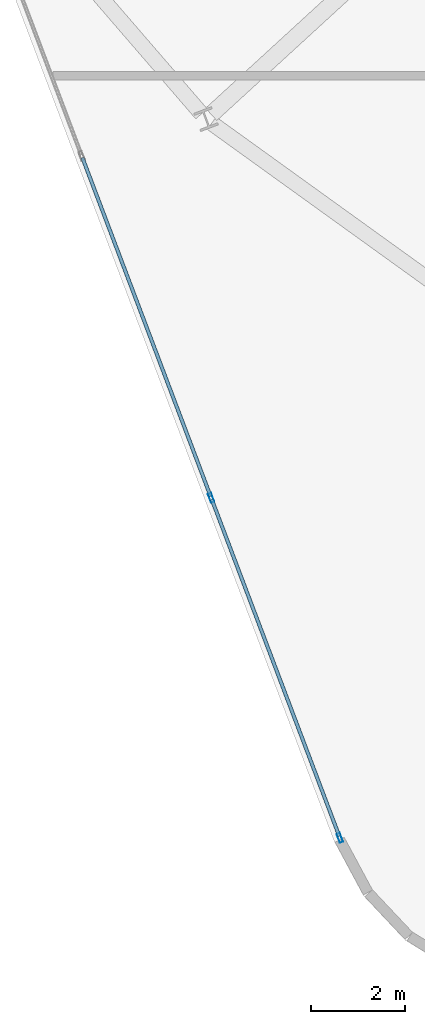
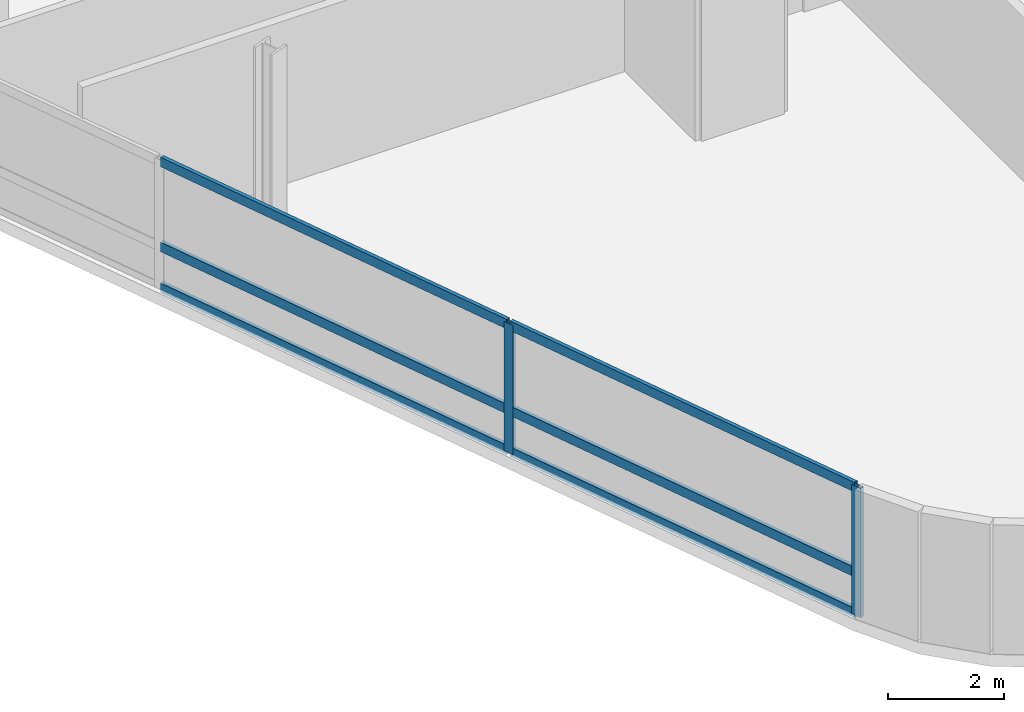
# One storey, part 3 of 20: 8 members, 1 element without a shape of its own.
"""IFC4 building model written with IfcOpenShell, lengths in metres."""

from ifc_helpers import new_model, si_unit, direction, frame, origin, origin_2d, place, context, subcontext, project, spatial, hollow_rectangle, extrude, material, layer, layer_set, material_profile, profile_set, type_object, element, aggregate, save


model = new_model("IFC4")

# Units and contexts
model_context = context("Model", 3, precision=1e-05, world=origin(), true_north=direction((0.0, 1.0)))
body_context = subcontext(model_context, "Body", "Model", "MODEL_VIEW")
ifc_project = project(units=[si_unit("LENGTHUNIT", "METRE"), si_unit("AREAUNIT", "SQUARE_METRE"), si_unit("VOLUMEUNIT", "CUBIC_METRE"), si_unit("PLANEANGLEUNIT", "RADIAN"), si_unit("MASSUNIT", "GRAM", prefix="KILO")], contexts=[model_context])

# Site, building, storey
site_placement = place(None, origin())
site = spatial("IfcSite", under=ifc_project, at=site_placement, CompositionType="ELEMENT")
building_placement = place(site_placement, origin())
building = spatial("IfcBuilding", under=site, at=building_placement, Name="Varnelok Gate Tower", CompositionType="ELEMENT")
storey_placement = place(building_placement, frame((0.0, 0.0, 223.800048828125)))
storey = spatial("IfcBuildingStorey", under=building, at=storey_placement, Name="L57", CompositionType="ELEMENT", Elevation=223.800048828125)

# Curtain wall, members
ifc_material = material(Name="Anodized Aluminum Alloy 6063-T6", Category="aluminium")
ifc_layer = layer(ifc_material, 0.179931640625)
ifc_layer_set = layer_set([ifc_layer], Name="Anodized Aluminum Alloy 6063-T6")
curtain_wall_type = type_object("IfcCurtainWallType", Name="CW4-RESIDENCE-VISION", PredefinedType="USERDEFINED", material=ifc_layer_set)
curtain_wall_placement = place(storey_placement, origin())
curtain_wall = element("IfcCurtainWall", 1, at=curtain_wall_placement, inside=storey, type_object=curtain_wall_type, Name="L57 West End Vision Curtain Wall", ObjectType="UNITISED CURTAIN WALL", PredefinedType="USERDEFINED")
ifc_material_profile_1 = material_profile(ifc_material, hollow_rectangle(XDim=0.074951171875, YDim=0.199951171875, WallThickness=0.00390625, at=origin_2d()), Name="ALU200X75X4")
ifc_profile_set_1 = profile_set([ifc_material_profile_1], Name="Anodized Aluminum Alloy 6063-T6")
member_type_1 = type_object("IfcMemberType", Name="CW-MULL-200", PredefinedType="MULLION", material=ifc_profile_set_1)
member_1_placement = place(storey_placement, frame((13.88525390625, -0.92431640625, 0.0), z_axis=(0.0, 0.0, 1.0), x_axis=(-0.935221557832, -0.354063042079, 0.0)))
member_1 = element("IfcMember", 2, at=member_1_placement, type_object=member_type_1, Name="CW4 mullion 1", PredefinedType="MULLION", context=body_context, shape_type="SweptSolid", body=[
    extrude(hollow_rectangle(XDim=0.074951171875, YDim=0.199951171875, WallThickness=0.00390625, at=origin_2d()), origin(), (0.0, 0.0, 1.0), 2.72998046875),
])
member_2_placement = place(storey_placement, frame((11.13671875, 6.33544921875, 0.0), z_axis=(0.0, 0.0, 1.0), x_axis=(-0.935221557832, -0.354063042079, 0.0)))
member_2 = element("IfcMember", 3, at=member_2_placement, type_object=member_type_1, Name="CW4 mullion 2", PredefinedType="MULLION", context=body_context, shape_type="SweptSolid", body=[
    extrude(hollow_rectangle(XDim=0.074951171875, YDim=0.199951171875, WallThickness=0.00390625, at=origin_2d()), origin(), (0.0, 0.0, 1.0), 2.72998046875),
])
ifc_material_profile_2 = material_profile(ifc_material, hollow_rectangle(XDim=0.074951171875, YDim=0.199951171875, WallThickness=0.00390625, at=origin_2d()), Name="ALU200X75X4")
ifc_profile_set_2 = profile_set([ifc_material_profile_2], Name="Anodized Aluminum Alloy 6063-T6")
member_type_2 = type_object("IfcMemberType", Name="CW-TRAN-200", PredefinedType="USERDEFINED", material=ifc_profile_set_2)
member_3_placement = place(storey_placement, frame((13.871826171875, -0.88916015625, 0.037353515625), z_axis=(-0.354045264669, 0.935228287941, 0.0), x_axis=(-0.935228287941, -0.354045264669, 0.0)))
member_3 = element("IfcMember", 4, at=member_3_placement, type_object=member_type_2, Name="CW4 transom 1.1", ObjectType="TRANSOM", PredefinedType="USERDEFINED", context=body_context, shape_type="SweptSolid", body=[
    extrude(hollow_rectangle(XDim=0.074951171875, YDim=0.199951171875, WallThickness=0.00390625, at=origin_2d()), origin(), (0.0, 0.0, 1.0), 7.687255859375),
])
member_4_placement = place(storey_placement, frame((13.871826171875, -0.88916015625, 0.89990234375), z_axis=(-0.354045264669, 0.935228287941, 0.0), x_axis=(-0.935228287941, -0.354045264669, 0.0)))
member_4 = element("IfcMember", 5, at=member_4_placement, type_object=member_type_2, Name="CW4 transom 1.2", ObjectType="TRANSOM", PredefinedType="USERDEFINED", context=body_context, shape_type="SweptSolid", body=[
    extrude(hollow_rectangle(XDim=0.074951171875, YDim=0.199951171875, WallThickness=0.00390625, at=origin_2d()), origin(), (0.0, 0.0, 1.0), 7.687255859375),
])
member_5_placement = place(storey_placement, frame((13.871826171875, -0.88916015625, 2.6923828125), z_axis=(-0.354045264669, 0.935228287941, 0.0), x_axis=(-0.935228287941, -0.354045264669, 0.0)))
member_5 = element("IfcMember", 6, at=member_5_placement, type_object=member_type_2, Name="CW4 transom 1.3", ObjectType="TRANSOM", PredefinedType="USERDEFINED", context=body_context, shape_type="SweptSolid", body=[
    extrude(hollow_rectangle(XDim=0.074951171875, YDim=0.199951171875, WallThickness=0.00390625, at=origin_2d()), origin(), (0.0, 0.0, 1.0), 7.687255859375),
])
member_6_placement = place(storey_placement, frame((11.12353515625, 6.370361328125, 0.037353515625), z_axis=(-0.354058714128, 0.935223196328, 0.0), x_axis=(-0.935223196328, -0.354058714128, 0.0)))
member_6 = element("IfcMember", 7, at=member_6_placement, type_object=member_type_2, Name="CW4 transom 2.1", ObjectType="TRANSOM", PredefinedType="USERDEFINED", context=body_context, shape_type="SweptSolid", body=[
    extrude(hollow_rectangle(XDim=0.074951171875, YDim=0.199951171875, WallThickness=0.00390625, at=origin_2d()), origin(), (0.0, 0.0, 1.0), 7.72509765625),
])
member_7_placement = place(storey_placement, frame((11.12353515625, 6.370361328125, 0.89990234375), z_axis=(-0.354058714128, 0.935223196328, 0.0), x_axis=(-0.935223196328, -0.354058714128, 0.0)))
member_7 = element("IfcMember", 8, at=member_7_placement, type_object=member_type_2, Name="CW4 transom 2.2", ObjectType="TRANSOM", PredefinedType="USERDEFINED", context=body_context, shape_type="SweptSolid", body=[
    extrude(hollow_rectangle(XDim=0.074951171875, YDim=0.199951171875, WallThickness=0.00390625, at=origin_2d()), origin(), (0.0, 0.0, 1.0), 7.72509765625),
])
member_8_placement = place(storey_placement, frame((11.12353515625, 6.370361328125, 2.6923828125), z_axis=(-0.354058714128, 0.935223196328, 0.0), x_axis=(-0.935223196328, -0.354058714128, 0.0)))
member_8 = element("IfcMember", 9, at=member_8_placement, type_object=member_type_2, Name="CW4 transom 2.3", ObjectType="TRANSOM", PredefinedType="USERDEFINED", context=body_context, shape_type="SweptSolid", body=[
    extrude(hollow_rectangle(XDim=0.074951171875, YDim=0.199951171875, WallThickness=0.00390625, at=origin_2d()), origin(), (0.0, 0.0, 1.0), 7.72509765625),
])
aggregate(curtain_wall, [member_1, member_2, member_3, member_4, member_5, member_6, member_7, member_8])

save(model, "model.ifc")
